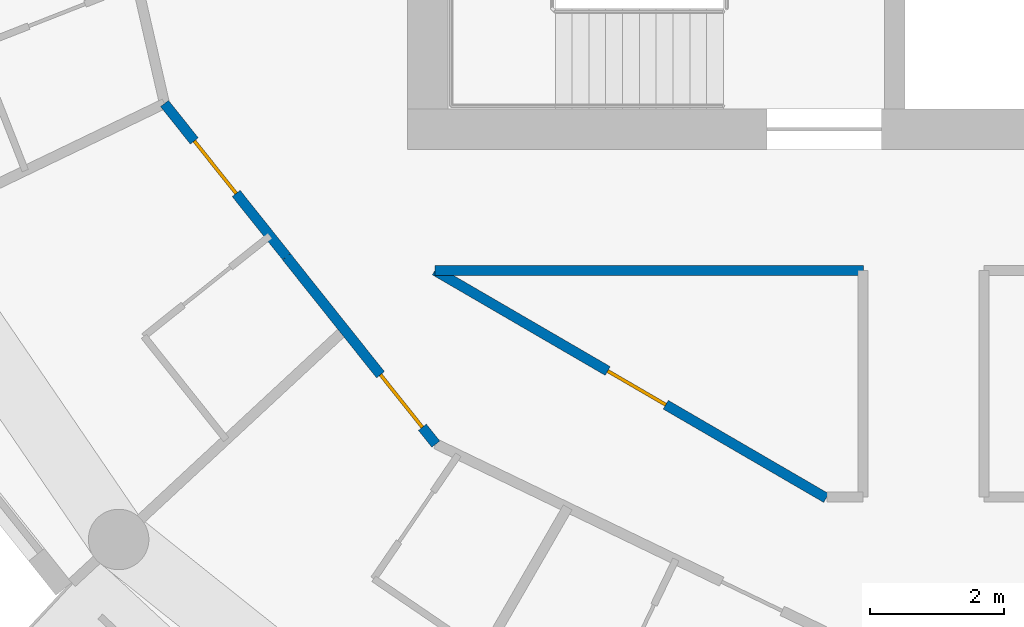
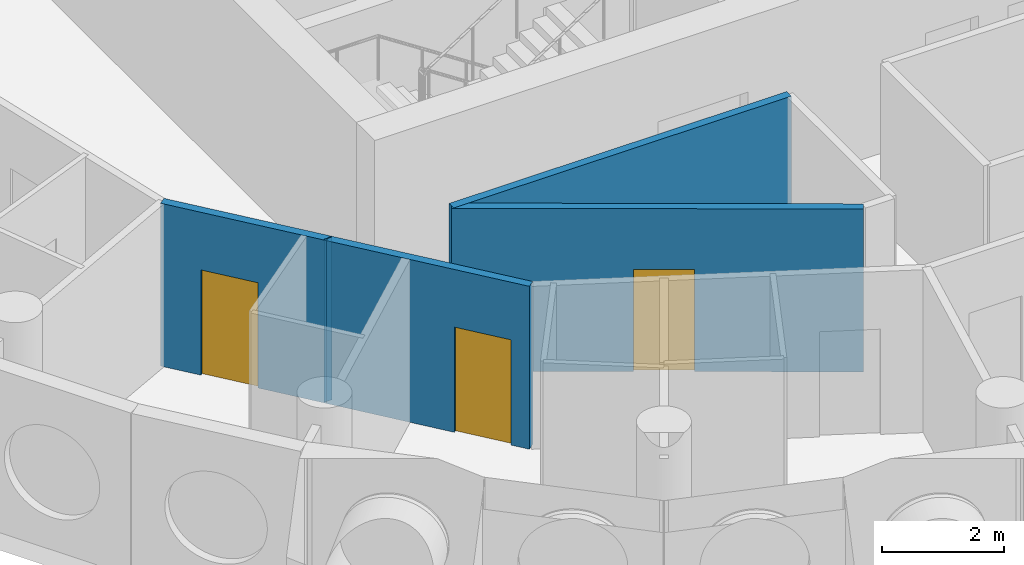
# One storey, part 3 of 12: 5 walls, 3 doors, 3 openings.
"""IFC4 building model written with IfcOpenShell, lengths in metres."""

from ifc_helpers import new_model, si_unit, direction, frame, frame_2d, origin, place, context, subcontext, project, spatial, rectangle, extrude, material, layer, layer_set, type_object, element, fill, save


model = new_model("IFC4")

# Units and contexts
model_context = context("Model", 3, precision=1e-05, world=origin(), true_north=direction((0.0, 1.0)))
body_context = subcontext(model_context, "Body", "Model", "MODEL_VIEW")
ifc_project = project(units=[si_unit("LENGTHUNIT", "METRE"), si_unit("AREAUNIT", "SQUARE_METRE"), si_unit("VOLUMEUNIT", "CUBIC_METRE"), si_unit("PLANEANGLEUNIT", "RADIAN"), si_unit("MASSUNIT", "GRAM", prefix="KILO")], contexts=[model_context])

# Site, building, storey
site_placement = place(None, origin())
site = spatial("IfcSite", under=ifc_project, at=site_placement, CompositionType="ELEMENT")
building_placement = place(site_placement, origin())
building = spatial("IfcBuilding", under=site, at=building_placement, Name="Tracery Tower", CompositionType="ELEMENT")
storey_placement = place(building_placement, frame((0.0, 0.0, 291.0)))
storey = spatial("IfcBuildingStorey", under=building, at=storey_placement, Name="L75", CompositionType="ELEMENT", Elevation=291.0)

# Wall
ifc_material_1 = material(Name="Plasterboard on steel studs", Category="steel")
ifc_layer = layer(ifc_material_1, 0.14990234375)
ifc_layer_set = layer_set([ifc_layer], Name="Partition 150 corridor wall")
wall_type = type_object("IfcWallType", Name="Partition 150 corridor wall", PredefinedType="PARTITIONING", material=ifc_layer_set)
wall_1_placement = place(storey_placement, frame((-9.092041015625, -8.800048828125, 0.0), z_axis=(0.0, 0.0, 1.0), x_axis=(1.0, 0.0, 0.0)))
element("IfcWall", 1, at=wall_1_placement, inside=storey, type_object=wall_type, Name="Corridor wall RC6-011", PredefinedType="PARTITIONING", context=body_context, shape_type="SweptSolid", body=[
    extrude(rectangle(XDim=6.3759765625, YDim=0.14990234375, at=frame_2d((3.18798828125, 0.0))), origin(), (0.0, 0.0, 1.0), 3.25),
])

# Wall, opening, door
wall_2_placement = place(storey_placement, frame((-9.092041015625, -8.800048828125, 0.0), z_axis=(0.0, 0.0, 1.0), x_axis=(0.864470922103, -0.502682827277, 0.0)))
wall_2 = element("IfcWall", 2, at=wall_2_placement, inside=storey, type_object=wall_type, Name="Corridor wall RC6-012", PredefinedType="PARTITIONING", context=body_context, shape_type="SweptSolid", body=[
    extrude(rectangle(XDim=6.7353515625, YDim=0.14990234375, at=frame_2d((3.36767578125, 0.0))), origin(), (0.0, 0.0, 1.0), 3.25),
])
opening_1_placement = place(wall_2_placement, frame((2.9736328125, 0.0, 0.0)))
opening_1 = element("IfcOpeningElement", 3, at=opening_1_placement, cuts=wall_2, Name="Opening RC6-03", PredefinedType="OPENING", context=body_context, shape_type="SweptSolid", body=[
    extrude(rectangle(XDim=1.0, YDim=2.0400390625, at=frame_2d((0.5, 1.02001953125))), frame((0.0, 0.074951171875, 0.0), z_axis=(0.0, -1.0, 0.0), x_axis=(1.0, 0.0, 0.0)), (0.0, 0.0, 1.0), 0.14990234375),
])
ifc_material_2 = material(Name="Timber door leaf", Category="wood")
door_type_1 = type_object("IfcDoorType", Name="Door communal room 1000", OperationType="NOTDEFINED", PredefinedType="DOOR", material=ifc_material_2)
door_1_placement = place(opening_1_placement, origin())
door_1 = element("IfcDoor", 4, at=door_1_placement, inside=storey, type_object=door_type_1, Name="Communal room door RC6-03", OperationType="SINGLE_SWING_LEFT", OverallHeight=2.0400390625, OverallWidth=1.0, PredefinedType="DOOR", context=body_context, shape_type="SweptSolid", body=[
    extrude(rectangle(XDim=1.0, YDim=2.0400390625, at=frame_2d((0.5, 1.02001953125))), frame((0.0, 0.02490234375, 0.0), z_axis=(0.0, -1.0, 0.0), x_axis=(1.0, 0.0, 0.0)), (0.0, 0.0, 1.0), 0.050048828125),
])
fill(opening_1, door_1)

wall_3_placement = place(storey_placement, frame((-11.300048828125, -8.59619140625, 0.0), z_axis=(0.0, 0.0, 1.0), x_axis=(0.623390921228, -0.781910326911, 0.0)))
wall_3 = element("IfcWall", 5, at=wall_3_placement, inside=storey, type_object=wall_type, Name="Corridor wall RC6-015", PredefinedType="PARTITIONING", context=body_context, shape_type="SweptSolid", body=[
    extrude(rectangle(XDim=3.56396484375, YDim=0.14990234375, at=frame_2d((1.781982421875, 0.0))), origin(), (0.0, 0.0, 1.0), 3.25),
])
opening_2_placement = place(wall_3_placement, frame((2.243896484375, 0.0, 0.0)))
opening_2 = element("IfcOpeningElement", 6, at=opening_2_placement, cuts=wall_3, Name="Opening RC6-23", PredefinedType="OPENING", context=body_context, shape_type="SweptSolid", body=[
    extrude(rectangle(XDim=1.0, YDim=2.10009765625, at=frame_2d((0.5, 1.050048828125))), frame((0.0, 0.074951171875, 0.0), z_axis=(0.0, -1.0, 0.0), x_axis=(1.0, 0.0, 0.0)), (0.0, 0.0, 1.0), 0.14990234375),
])
ifc_material_3 = material(Name="Timber door leaf", Category="wood")
door_type_2 = type_object("IfcDoorType", Name="Door unit entrance 1000", OperationType="NOTDEFINED", PredefinedType="DOOR", material=ifc_material_3)
door_2_placement = place(opening_2_placement, origin())
door_2 = element("IfcDoor", 7, at=door_2_placement, inside=storey, type_object=door_type_2, Name="Unit entrance door RC6-23", OperationType="SINGLE_SWING_LEFT", OverallHeight=2.10009765625, OverallWidth=1.0, PredefinedType="DOOR", context=body_context, shape_type="SweptSolid", body=[
    extrude(rectangle(XDim=1.0, YDim=2.10009765625, at=frame_2d((0.5, 1.050048828125))), frame((0.0, 0.02490234375, 0.0), z_axis=(0.0, -1.0, 0.0), x_axis=(1.0, 0.0, 0.0)), (0.0, 0.0, 1.0), 0.050048828125),
])
fill(opening_2, door_2)

# Wall
wall_4_placement = place(storey_placement, frame((-11.300048828125, -8.59619140625, 0.0), z_axis=(0.0, 0.0, 1.0), x_axis=(0.0, 1.0, 0.0)))
element("IfcWall", 8, at=wall_4_placement, inside=storey, type_object=wall_type, Name="Corridor wall RC6-017", PredefinedType="PARTITIONING", context=body_context, shape_type="SweptSolid", body=[
    extrude(rectangle(XDim=0.00927734375, YDim=0.14990234375, at=frame_2d((0.004638671875, 0.0))), origin(), (0.0, 0.0, 1.0), 3.25),
])

# Wall, opening, door
wall_5_placement = place(storey_placement, frame((-13.114990234375, -6.31591796875, 0.0), z_axis=(0.0, 0.0, 1.0), x_axis=(0.623303083673, -0.781980348784, 0.0)))
wall_5 = element("IfcWall", 9, at=wall_5_placement, inside=storey, type_object=wall_type, Name="Corridor wall RC6-036", PredefinedType="PARTITIONING", context=body_context, shape_type="SweptSolid", body=[
    extrude(rectangle(XDim=2.9111328125, YDim=0.14990234375, at=frame_2d((1.45556640625, 0.0))), origin(), (0.0, 0.0, 1.0), 3.25),
])
opening_3_placement = place(wall_5_placement, frame((0.71044921875, 0.0, 0.0)))
opening_3 = element("IfcOpeningElement", 10, at=opening_3_placement, cuts=wall_5, Name="Opening RC6-21", PredefinedType="OPENING", context=body_context, shape_type="SweptSolid", body=[
    extrude(rectangle(XDim=1.0, YDim=2.10009765625, at=frame_2d((0.5, 1.050048828125))), frame((0.0, 0.074951171875, 0.0), z_axis=(0.0, -1.0, 0.0), x_axis=(1.0, 0.0, 0.0)), (0.0, 0.0, 1.0), 0.14990234375),
])
door_3_placement = place(opening_3_placement, origin())
door_3 = element("IfcDoor", 11, at=door_3_placement, inside=storey, type_object=door_type_2, Name="Unit entrance door RC6-21", OperationType="SINGLE_SWING_RIGHT", OverallHeight=2.10009765625, OverallWidth=1.0, PredefinedType="DOOR", context=body_context, shape_type="SweptSolid", body=[
    extrude(rectangle(XDim=1.0, YDim=2.10009765625, at=frame_2d((0.5, 1.050048828125))), frame((0.0, 0.02490234375, 0.0), z_axis=(0.0, -1.0, 0.0), x_axis=(1.0, 0.0, 0.0)), (0.0, 0.0, 1.0), 0.050048828125),
])
fill(opening_3, door_3)

save(model, "model.ifc")
